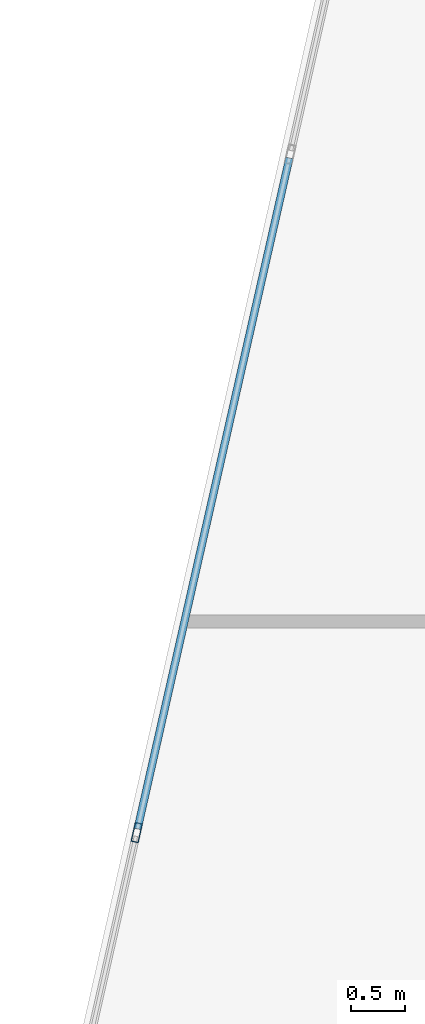
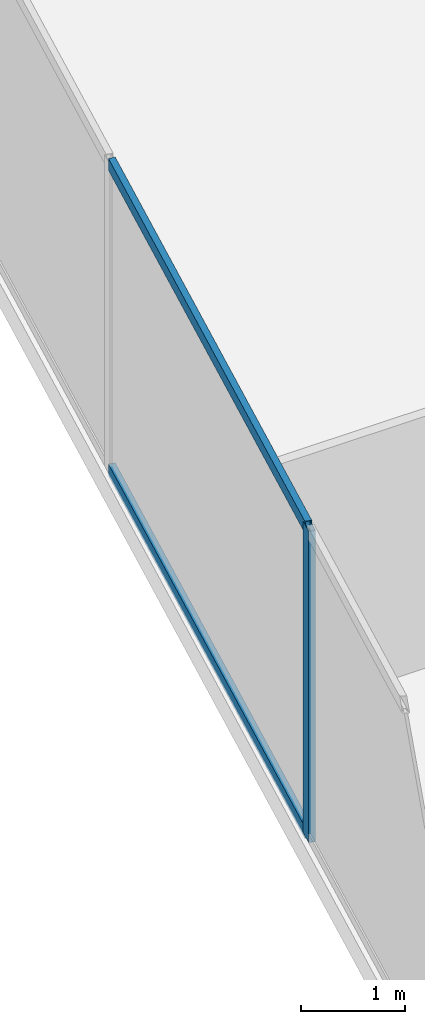
# One storey, part 8 of 26: 3 members, 1 element without a shape of its own.
"""IFC4 building model written with IfcOpenShell, lengths in metres."""

from ifc_helpers import new_model, si_unit, direction, frame, origin, origin_2d, place, context, subcontext, project, spatial, hollow_rectangle, extrude, source, transform, mapped, material, material_profile, profile_set, type_object, type_shapes, element, aggregate, save


model = new_model("IFC4")

# Units and contexts
model_context = context("Model", 3, precision=1e-05, world=origin(), true_north=direction((0.0, 1.0)))
body_context = subcontext(model_context, "Body", "Model", "MODEL_VIEW")
ifc_project = project(units=[si_unit("LENGTHUNIT", "METRE"), si_unit("AREAUNIT", "SQUARE_METRE"), si_unit("VOLUMEUNIT", "CUBIC_METRE"), si_unit("PLANEANGLEUNIT", "RADIAN"), si_unit("MASSUNIT", "GRAM", prefix="KILO")], contexts=[model_context])

# Site, building, storey
site_placement = place(None, origin())
site = spatial("IfcSite", under=ifc_project, at=site_placement, CompositionType="ELEMENT")
building_placement = place(site_placement, origin())
building = spatial("IfcBuilding", under=site, at=building_placement, Name="Krantzveldt Concourse Tower", CompositionType="ELEMENT")
storey_placement = place(building_placement, frame((0.0, 0.0, 94.0)))
storey = spatial("IfcBuildingStorey", under=building, at=storey_placement, Name="L22", CompositionType="ELEMENT", Elevation=94.0)

# Curtain wall, members
ifc_material = material(Name="Anodised aluminium 6063-T6", Category="aluminium")
curtain_wall_type = type_object("IfcCurtainWallType", Name="CW2", PredefinedType="USERDEFINED", material=ifc_material)
curtain_wall_placement = place(storey_placement, origin())
curtain_wall = element("IfcCurtainWall", 1, at=curtain_wall_placement, inside=storey, type_object=curtain_wall_type, Name="CW-L22-F01", ObjectType="UNITISED CURTAIN WALL", PredefinedType="USERDEFINED")
ifc_material_profile_1 = material_profile(ifc_material, hollow_rectangle(XDim=0.070068359375, YDim=0.179931640625, WallThickness=0.0048828125, at=origin_2d()), Name="Anodised aluminium 6063-T6", Category="aluminium")
ifc_profile_set_1 = profile_set([ifc_material_profile_1], Name="Anodised aluminium 6063-T6 - ALU-MULL 180x70x5")
member_type_1 = type_object("IfcMemberType", Name="CW-MUL-180", PredefinedType="MULLION", material=ifc_profile_set_1)
shared_shape_1 = source(origin(), body_context, "Body", "SweptSolid", [
    extrude(hollow_rectangle(XDim=0.070068359375, YDim=0.179931640625, WallThickness=0.0048828125, at=origin_2d()), origin(), (0.0, 0.0, 1.0), 3.669921875),
])
type_shapes(member_type_1, [shared_shape_1])
member_1_placement = place(storey_placement, frame((11.837646484375, 25.537353515625, 0.0), z_axis=(0.0, 0.0, 1.0), x_axis=(0.975342320609, -0.220697434579, 0.0)))
member_1 = element("IfcMember", 2, at=member_1_placement, type_object=member_type_1, Name="CW-Z12 mullion 5", PredefinedType="MULLION", context=body_context, shape_type="MappedRepresentation", body=[
    mapped(shared_shape_1, transform((0.0, 0.0, 0.0), x_axis=(1.0, 0.0, 0.0), y_axis=(0.0, 1.0, 0.0), z_axis=(0.0, 0.0, 1.0), scale=1.0)),
])
ifc_material_profile_2 = material_profile(ifc_material, hollow_rectangle(XDim=0.070068359375, YDim=0.139892578125, WallThickness=0.0048828125, at=origin_2d()), Name="Anodised aluminium 6063-T6", Category="aluminium")
ifc_profile_set_2 = profile_set([ifc_material_profile_2], Name="Anodised aluminium 6063-T6 - ALU-TRAN 140x70x5")
member_type_2 = type_object("IfcMemberType", Name="CW-TRN-150", PredefinedType="USERDEFINED", material=ifc_profile_set_2)
shared_shape_2 = source(origin(), body_context, "Body", "SweptSolid", [
    extrude(hollow_rectangle(XDim=0.070068359375, YDim=0.139892578125, WallThickness=0.0048828125, at=origin_2d()), origin(), (0.0, 0.0, 1.0), 6.396728515625),
])
type_shapes(member_type_2, [shared_shape_2])
member_2_placement = place(storey_placement, frame((13.257080078125, 31.810302734375, 0.034912109375), z_axis=(-0.220715365874, -0.975338262998, 0.0), x_axis=(0.975338262998, -0.220715365874, 0.0)))
member_2 = element("IfcMember", 3, at=member_2_placement, type_object=member_type_2, Name="CW-Z12 transom 4.1", ObjectType="TRANSOM", PredefinedType="USERDEFINED", context=body_context, shape_type="MappedRepresentation", body=[
    mapped(shared_shape_2, transform((0.0, 0.0, 0.0), x_axis=(1.0, 0.0, 0.0), y_axis=(0.0, 1.0, 0.0), z_axis=(0.0, 0.0, 1.0), scale=1.0)),
])
member_3_placement = place(storey_placement, frame((13.257080078125, 31.810302734375, 3.635009765625), z_axis=(-0.220715365874, -0.975338262998, 0.0), x_axis=(0.975338262998, -0.220715365874, 0.0)))
member_3 = element("IfcMember", 4, at=member_3_placement, type_object=member_type_2, Name="CW-Z12 transom 4.2", ObjectType="TRANSOM", PredefinedType="USERDEFINED", context=body_context, shape_type="MappedRepresentation", body=[
    mapped(shared_shape_2, transform((0.0, 0.0, 0.0), x_axis=(1.0, 0.0, 0.0), y_axis=(0.0, 1.0, 0.0), z_axis=(0.0, 0.0, 1.0), scale=1.0)),
])
aggregate(curtain_wall, [member_1, member_2, member_3])

save(model, "model.ifc")
